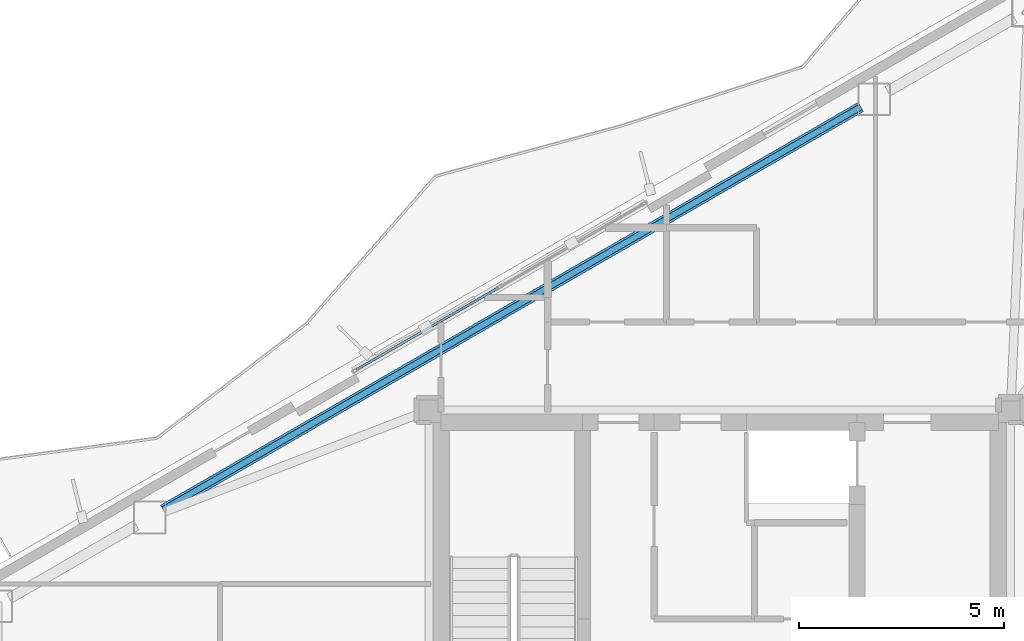
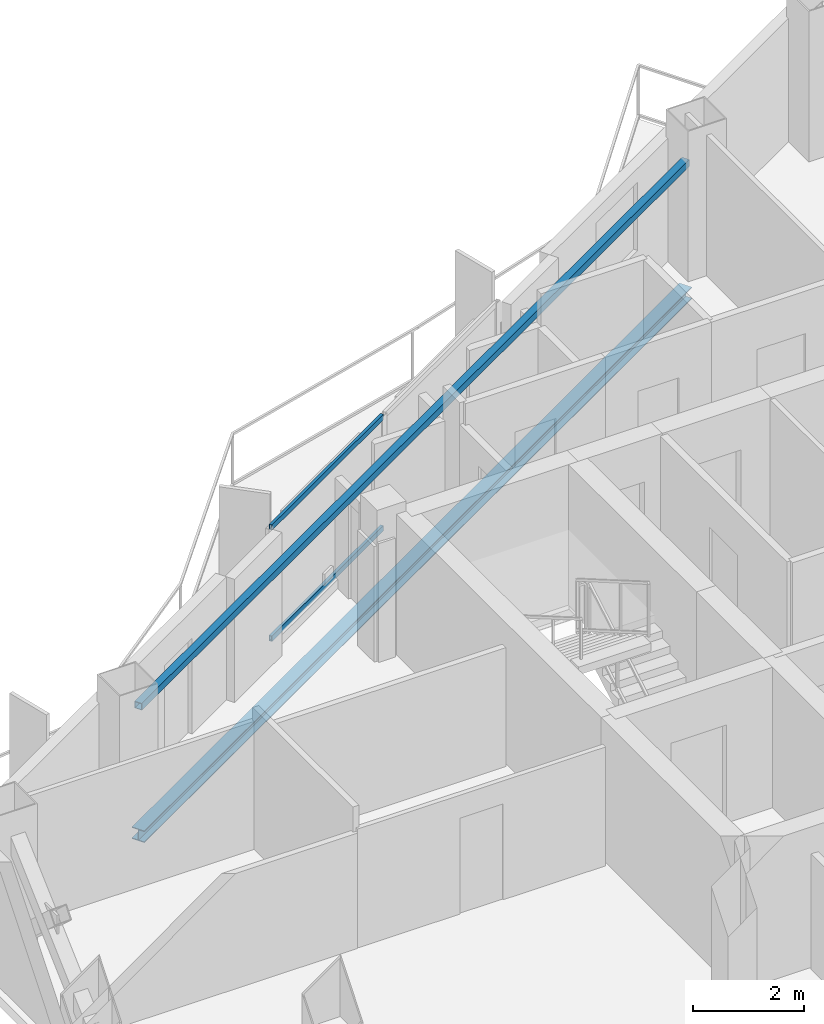
# One storey, part 9 of 18: 2 beams, 2 members, 1 element without a shape of its own.
"""IFC4 building model written with IfcOpenShell, lengths in metres."""

from ifc_helpers import new_model, si_unit, direction, frame, origin, origin_2d, place, context, subcontext, project, spatial, hollow_rectangle, i_section, extrude, material, layer, layer_set, material_profile, profile_set, type_object, element, aggregate, save


model = new_model("IFC4")

# Units and contexts
model_context = context("Model", 3, precision=1e-05, world=origin(), true_north=direction((0.0, 1.0)))
body_context = subcontext(model_context, "Body", "Model", "MODEL_VIEW")
ifc_project = project(units=[si_unit("LENGTHUNIT", "METRE"), si_unit("AREAUNIT", "SQUARE_METRE"), si_unit("VOLUMEUNIT", "CUBIC_METRE"), si_unit("PLANEANGLEUNIT", "RADIAN"), si_unit("MASSUNIT", "GRAM", prefix="KILO")], contexts=[model_context])

# Site, building, storey
site_placement = place(None, origin())
site = spatial("IfcSite", under=ifc_project, at=site_placement, CompositionType="ELEMENT")
building_placement = place(site_placement, origin())
building = spatial("IfcBuilding", under=site, at=building_placement, Name="Mersakhor Tower and Convention Hall", CompositionType="ELEMENT")
storey_placement = place(building_placement, frame((0.0, 0.0, 239.699951171875)))
storey = spatial("IfcBuildingStorey", under=building, at=storey_placement, Name="L67", CompositionType="ELEMENT", Elevation=239.699951171875)

# Beams
ifc_material_1 = material(Name="Steel S355", Category="steel")
ifc_material_profile_1 = material_profile(ifc_material_1, hollow_rectangle(XDim=0.14990234375, YDim=0.14990234375, WallThickness=0.010009765625, at=origin_2d()), Name="SHS 150x150x10")
ifc_profile_set_1 = profile_set([ifc_material_profile_1], Name="Steel S355")
beam_type_1 = type_object("IfcBeamType", Name="BM-GRT-SHS150", PredefinedType="USERDEFINED", material=ifc_profile_set_1)
beam_1_placement = place(storey_placement, frame((15.414794921875, 30.618408203125, 2.47998046875), z_axis=(0.866021610626, 0.500006569886, 0.0), x_axis=(-0.500006569886, 0.866021610626, 0.0)))
element("IfcBeam", 1, at=beam_1_placement, inside=storey, type_object=beam_type_1, Name="L67 Facade Support Girt GRT-F1", ObjectType="GIRT", PredefinedType="USERDEFINED", context=body_context, shape_type="SweptSolid", body=[
    extrude(hollow_rectangle(XDim=0.14990234375, YDim=0.14990234375, WallThickness=0.010009765625, at=origin_2d()), origin(), (0.0, 0.0, 1.0), 19.661865234375),
])
ifc_material_2 = material(Name="Steel S355", Category="steel")
ifc_material_profile_2 = material_profile(ifc_material_2, i_section(OverallWidth=0.25634765625, OverallDepth=0.26025390625, WebThickness=0.01025390625, FlangeThickness=0.017333984375, at=origin_2d()), Name="UC 254x254x89")
ifc_profile_set_2 = profile_set([ifc_material_profile_2], Name="Steel S355")
beam_type_2 = type_object("IfcBeamType", Name="BM-SPD-UC254", PredefinedType="SPANDREL", material=ifc_profile_set_2)
beam_2_placement = place(storey_placement, frame((15.414794921875, 30.618408203125, -0.35009765625), z_axis=(0.866021610626, 0.500006569886, 0.0), x_axis=(-0.500006569886, 0.866021610626, 0.0)))
element("IfcBeam", 2, at=beam_2_placement, inside=storey, type_object=beam_type_2, Name="L67 Perimeter Spandrel Beam SPB-02", PredefinedType="SPANDREL", context=body_context, shape_type="SweptSolid", body=[
    extrude(i_section(OverallWidth=0.25634765625, OverallDepth=0.26025390625, WebThickness=0.01025390625, FlangeThickness=0.017333984375, at=origin_2d()), origin(), (0.0, 0.0, 1.0), 19.661865234375),
])

# Curtain wall, members
ifc_material_3 = material(Name="Dark solar low-E aluminium curtain wall", Category="aluminium")
ifc_layer = layer(ifc_material_3, 0.179931640625)
ifc_layer_set = layer_set([ifc_layer], Name="Dark solar low-E aluminium curtain wall")
curtain_wall_type = type_object("IfcCurtainWallType", Name="CW-SYS-03", PredefinedType="USERDEFINED", material=ifc_layer_set)
curtain_wall_placement = place(storey_placement, origin())
curtain_wall = element("IfcCurtainWall", 3, at=curtain_wall_placement, inside=storey, type_object=curtain_wall_type, Name="L67 Dark-Glass Curtain Wall F1-B2", ObjectType="CURTAIN WALL", PredefinedType="USERDEFINED")
ifc_material_4 = material(Name="Anodised aluminium EN AW-6063 T6", Category="aluminium")
ifc_material_profile_3 = material_profile(ifc_material_4, hollow_rectangle(XDim=0.06005859375, YDim=0.1201171875, WallThickness=0.0048828125, at=origin_2d()), Name="RHS 120x60x5")
ifc_profile_set_3 = profile_set([ifc_material_profile_3], Name="Anodised aluminium EN AW-6063 T6")
member_type = type_object("IfcMemberType", Name="CWT-120x60", PredefinedType="USERDEFINED", material=ifc_profile_set_3)
member_1_placement = place(storey_placement, frame((20.130859375, 34.0341796875, 0.22998046875), z_axis=(0.866023018642, 0.500004131166, 0.0), x_axis=(-0.500004131166, 0.866023018642, 0.0)))
member_1 = element("IfcMember", 4, at=member_1_placement, type_object=member_type, Name="CW-03 transom 1.1", ObjectType="TRANSOM", PredefinedType="USERDEFINED", context=body_context, shape_type="SweptSolid", body=[
    extrude(hollow_rectangle(XDim=0.06005859375, YDim=0.1201171875, WallThickness=0.0048828125, at=origin_2d()), origin(), (0.0, 0.0, 1.0), 4.00146484375),
])
member_2_placement = place(storey_placement, frame((20.130859375, 34.0341796875, 2.670166015625), z_axis=(0.866023018642, 0.500004131166, 0.0), x_axis=(-0.500004131166, 0.866023018642, 0.0)))
member_2 = element("IfcMember", 5, at=member_2_placement, type_object=member_type, Name="CW-03 transom 1.2", ObjectType="TRANSOM", PredefinedType="USERDEFINED", context=body_context, shape_type="SweptSolid", body=[
    extrude(hollow_rectangle(XDim=0.06005859375, YDim=0.1201171875, WallThickness=0.0048828125, at=origin_2d()), origin(), (0.0, 0.0, 1.0), 4.00146484375),
])
aggregate(curtain_wall, [member_1, member_2])

save(model, "model.ifc")
